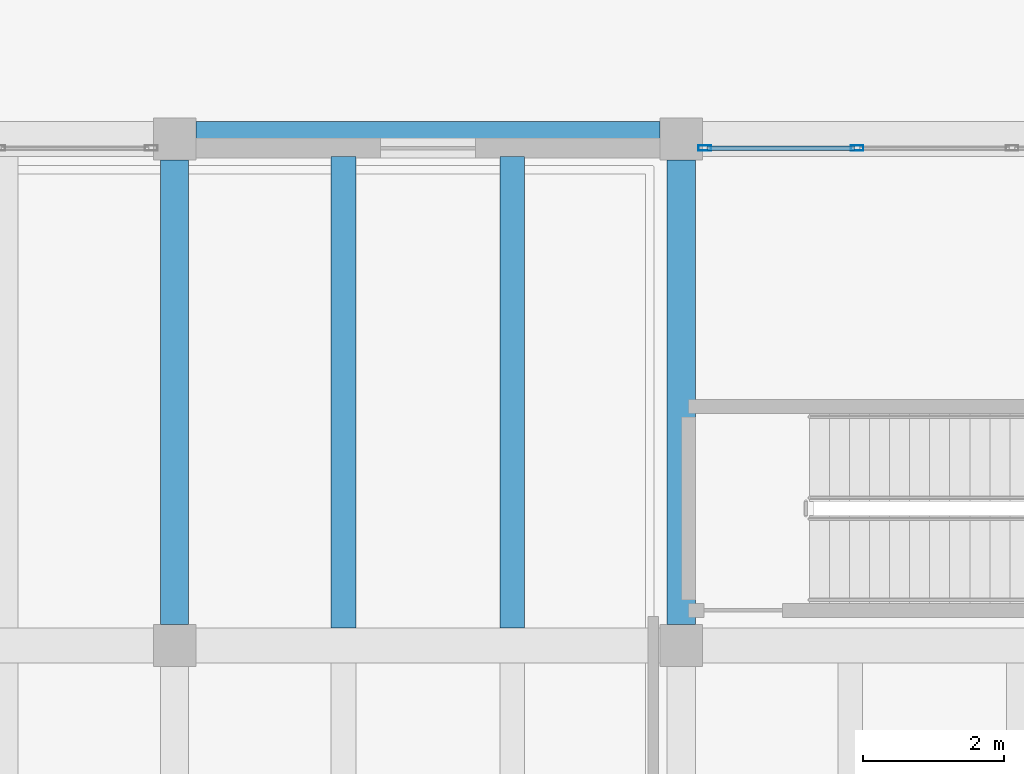
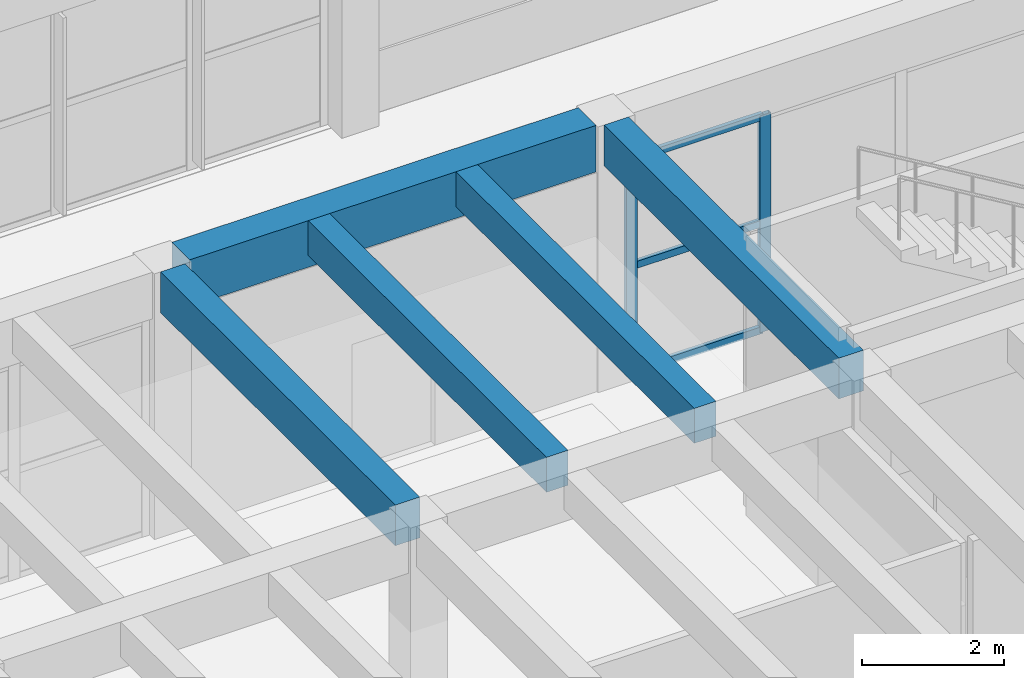
# One storey, part 90 of 155: 5 beams, 5 members, 1 element without a shape of its own.
"""IFC4 building model written with IfcOpenShell, lengths in metres."""

from ifc_helpers import new_model, si_unit, direction, frame, origin, origin_2d, place, context, subcontext, project, spatial, rectangle, hollow_rectangle, extrude, material, material_profile, profile_set, type_object, element, aggregate, save


model = new_model("IFC4")

# Units and contexts
model_context = context("Model", 3, precision=1e-05, world=origin(), true_north=direction((0.0, 1.0)))
body_context = subcontext(model_context, "Body", "Model", "MODEL_VIEW")
ifc_project = project(units=[si_unit("LENGTHUNIT", "METRE"), si_unit("AREAUNIT", "SQUARE_METRE"), si_unit("VOLUMEUNIT", "CUBIC_METRE"), si_unit("PLANEANGLEUNIT", "RADIAN"), si_unit("MASSUNIT", "GRAM", prefix="KILO")], contexts=[model_context])

# Site, building, storey
site_placement = place(None, origin())
site = spatial("IfcSite", under=ifc_project, at=site_placement, CompositionType="ELEMENT")
building_placement = place(site_placement, origin())
building = spatial("IfcBuilding", under=site, at=building_placement, Name="Bramvelor Terrace Health Centre", CompositionType="ELEMENT")
storey_placement = place(building_placement, origin())
storey = spatial("IfcBuildingStorey", under=building, at=storey_placement, Name="L01", CompositionType="ELEMENT", Elevation=0.0)

# Beams
ifc_material_1 = material(Name="Concrete C40/50", Category="concrete")
ifc_material_profile_1 = material_profile(ifc_material_1, rectangle(XDim=0.39990234375, YDim=0.699951171875, at=origin_2d()), Name="RC 400x700")
ifc_profile_set_1 = profile_set([ifc_material_profile_1], Name="Concrete C40/50")
beam_type_1 = type_object("IfcBeamType", Name="BM-RC-G700", PredefinedType="BEAM", material=ifc_profile_set_1)
for number, where, z_axis, x_axis, name in (
    (1, (79.199951171875, 72.300048828125, 4.2099609375), (0.0, 1.0, 0.0), (-1.0, 0.0, 0.0), "L01 Floor Girder"),
    (2, (86.39990234375, 72.300048828125, 4.2099609375), (0.0, 1.0, 0.0), (-1.0, 0.0, 0.0), "L01 Floor Girder"),
):
    element("IfcBeam", number, at=place(storey_placement, frame(where, z_axis=z_axis, x_axis=x_axis)), inside=storey, type_object=beam_type_1, Name=name, PredefinedType="BEAM", context=body_context, shape_type="SweptSolid", body=[
        extrude(rectangle(XDim=0.39990234375, YDim=0.699951171875, at=origin_2d()), origin(), (0.0, 0.0, 1.0), 6.599853515625),
    ])
ifc_material_2 = material(Name="Concrete C40/50", Category="concrete")
ifc_material_profile_2 = material_profile(ifc_material_2, rectangle(XDim=0.5, YDim=0.800048828125, at=origin_2d()), Name="RC 500x800")
ifc_profile_set_2 = profile_set([ifc_material_profile_2], Name="Concrete C40/50")
beam_type_2 = type_object("IfcBeamType", Name="BM-RC-G800", PredefinedType="BEAM", material=ifc_profile_set_2)
beam_placement = place(storey_placement, frame((79.5, 79.199951171875, 4.159912109375), z_axis=(1.0, 0.0, 0.0), x_axis=(0.0, 1.0, 0.0)))
element("IfcBeam", 3, at=beam_placement, inside=storey, type_object=beam_type_2, Name="L01 Floor Girder", PredefinedType="BEAM", context=body_context, shape_type="SweptSolid", body=[
    extrude(rectangle(XDim=0.5, YDim=0.800048828125, at=origin_2d()), origin(), (0.0, 0.0, 1.0), 6.60009765625),
])
ifc_material_3 = material(Name="Concrete C40/50", Category="concrete")
ifc_material_profile_3 = material_profile(ifc_material_3, rectangle(XDim=0.35009765625, YDim=0.60009765625, at=origin_2d()), Name="RC 350x600")
ifc_profile_set_3 = profile_set([ifc_material_profile_3], Name="Concrete C40/50")
beam_type_3 = type_object("IfcBeamType", Name="BM-RC-J600", PredefinedType="JOIST", material=ifc_profile_set_3)
for number, where, z_axis, x_axis, name in (
    (4, (81.60009765625, 72.25, 4.260009765625), (0.0, 1.0, 0.0), (-1.0, 0.0, 0.0), "L01 Secondary Floor Joist"),
    (5, (84.0, 72.25, 4.260009765625), (0.0, 1.0, 0.0), (-1.0, 0.0, 0.0), "L01 Secondary Floor Joist"),
):
    element("IfcBeam", number, at=place(storey_placement, frame(where, z_axis=z_axis, x_axis=x_axis)), inside=storey, type_object=beam_type_3, Name=name, PredefinedType="JOIST", context=body_context, shape_type="SweptSolid", body=[
        extrude(rectangle(XDim=0.35009765625, YDim=0.60009765625, at=origin_2d()), origin(), (0.0, 0.0, 1.0), 6.699951171875),
    ])

# Curtain wall, members
ifc_material_4 = material(Name="Anodized aluminium and double low-E glass", Category="aluminium")
curtain_wall_type = type_object("IfcCurtainWallType", Name="CW-SYS-02", PredefinedType="NOTDEFINED", material=ifc_material_4)
curtain_wall_placement = place(storey_placement, origin())
curtain_wall = element("IfcCurtainWall", 6, at=curtain_wall_placement, inside=storey, type_object=curtain_wall_type, Name="L01 Unitized Curtain Wall 33", PredefinedType="NOTDEFINED")
ifc_material_5 = material(Name="Anodized aluminium 6063-T6", Category="aluminium")
ifc_material_profile_4 = material_profile(ifc_material_5, hollow_rectangle(XDim=0.074951171875, YDim=0.179931640625, WallThickness=0.00341796875, at=origin_2d()), Name="ALU-MUL 75x180x3.5")
ifc_profile_set_4 = profile_set([ifc_material_profile_4], Name="Anodized aluminium 6063-T6")
member_type_1 = type_object("IfcMemberType", Name="CW-MUL-65x180", PredefinedType="MULLION", material=ifc_profile_set_4)
member_1_placement = place(storey_placement, frame((86.732421875, 79.070068359375, 0.0), z_axis=(0.0, 0.0, 1.0), x_axis=(0.0, 1.0, 0.0)))
member_1 = element("IfcMember", 7, at=member_1_placement, type_object=member_type_1, Name="CW-02 mullion 1", PredefinedType="MULLION", context=body_context, shape_type="SweptSolid", body=[
    extrude(hollow_rectangle(XDim=0.074951171875, YDim=0.179931640625, WallThickness=0.00341796875, at=origin_2d()), origin(), (0.0, 0.0, 1.0), 3.719970703125),
])
member_2_placement = place(storey_placement, frame((88.8984375, 79.070068359375, 0.0), z_axis=(0.0, 0.0, 1.0), x_axis=(0.0, 1.0, 0.0)))
member_2 = element("IfcMember", 8, at=member_2_placement, type_object=member_type_1, Name="CW-02 mullion 2", PredefinedType="MULLION", context=body_context, shape_type="SweptSolid", body=[
    extrude(hollow_rectangle(XDim=0.074951171875, YDim=0.179931640625, WallThickness=0.00341796875, at=origin_2d()), origin(), (0.0, 0.0, 1.0), 3.719970703125),
])
ifc_material_6 = material(Name="Anodized aluminium 6063-T6", Category="aluminium")
ifc_material_profile_5 = material_profile(ifc_material_6, hollow_rectangle(XDim=0.06494140625, YDim=0.1201171875, WallThickness=0.0029296875, at=origin_2d()), Name="ALU-TRN 65x120x3.0")
ifc_profile_set_5 = profile_set([ifc_material_profile_5], Name="Anodized aluminium 6063-T6")
member_type_2 = type_object("IfcMemberType", Name="CW-TRN-65x150", PredefinedType="USERDEFINED", material=ifc_profile_set_5)
member_3_placement = place(storey_placement, frame((86.77001953125, 79.070068359375, 0.032470703125), z_axis=(1.0, 0.0, 0.0), x_axis=(0.0, 1.0, 0.0)))
member_3 = element("IfcMember", 9, at=member_3_placement, type_object=member_type_2, Name="CW-02 transom 1.1", ObjectType="TRANSOM", PredefinedType="USERDEFINED", context=body_context, shape_type="SweptSolid", body=[
    extrude(hollow_rectangle(XDim=0.06494140625, YDim=0.1201171875, WallThickness=0.0029296875, at=origin_2d()), origin(), (0.0, 0.0, 1.0), 2.0908203125),
])
member_4_placement = place(storey_placement, frame((86.77001953125, 79.070068359375, 1.860107421875), z_axis=(1.0, 0.0, 0.0), x_axis=(0.0, 1.0, 0.0)))
member_4 = element("IfcMember", 10, at=member_4_placement, type_object=member_type_2, Name="CW-02 transom 1.2", ObjectType="TRANSOM", PredefinedType="USERDEFINED", context=body_context, shape_type="SweptSolid", body=[
    extrude(hollow_rectangle(XDim=0.06494140625, YDim=0.1201171875, WallThickness=0.0029296875, at=origin_2d()), origin(), (0.0, 0.0, 1.0), 2.0908203125),
])
member_5_placement = place(storey_placement, frame((86.77001953125, 79.070068359375, 3.6875), z_axis=(1.0, 0.0, 0.0), x_axis=(0.0, 1.0, 0.0)))
member_5 = element("IfcMember", 11, at=member_5_placement, type_object=member_type_2, Name="CW-02 transom 1.3", ObjectType="TRANSOM", PredefinedType="USERDEFINED", context=body_context, shape_type="SweptSolid", body=[
    extrude(hollow_rectangle(XDim=0.06494140625, YDim=0.1201171875, WallThickness=0.0029296875, at=origin_2d()), origin(), (0.0, 0.0, 1.0), 2.0908203125),
])
aggregate(curtain_wall, [member_1, member_2, member_3, member_4, member_5])

save(model, "model.ifc")
